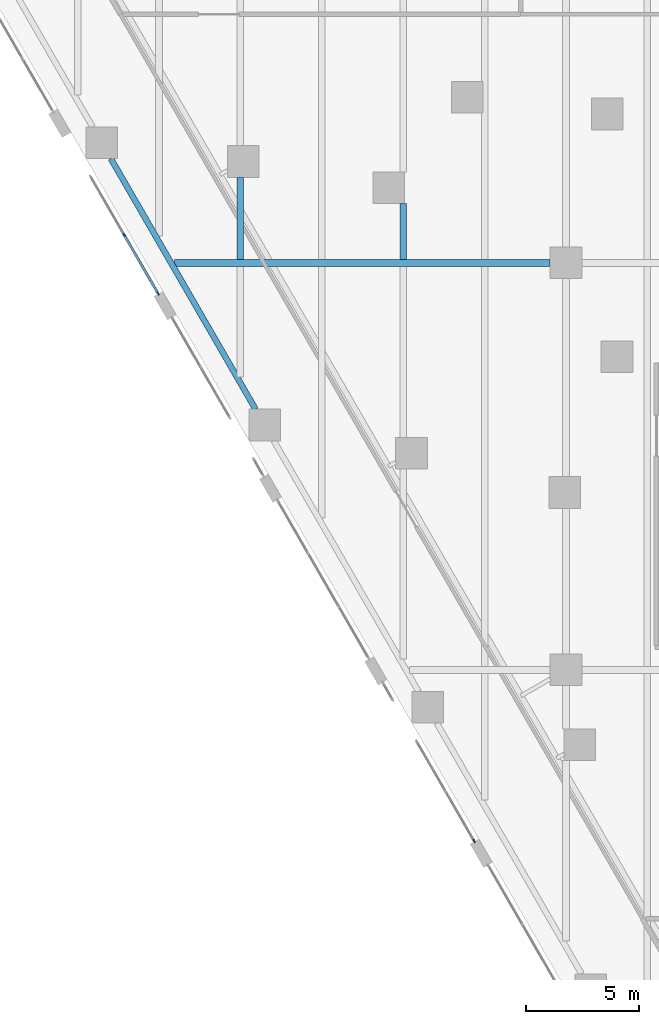
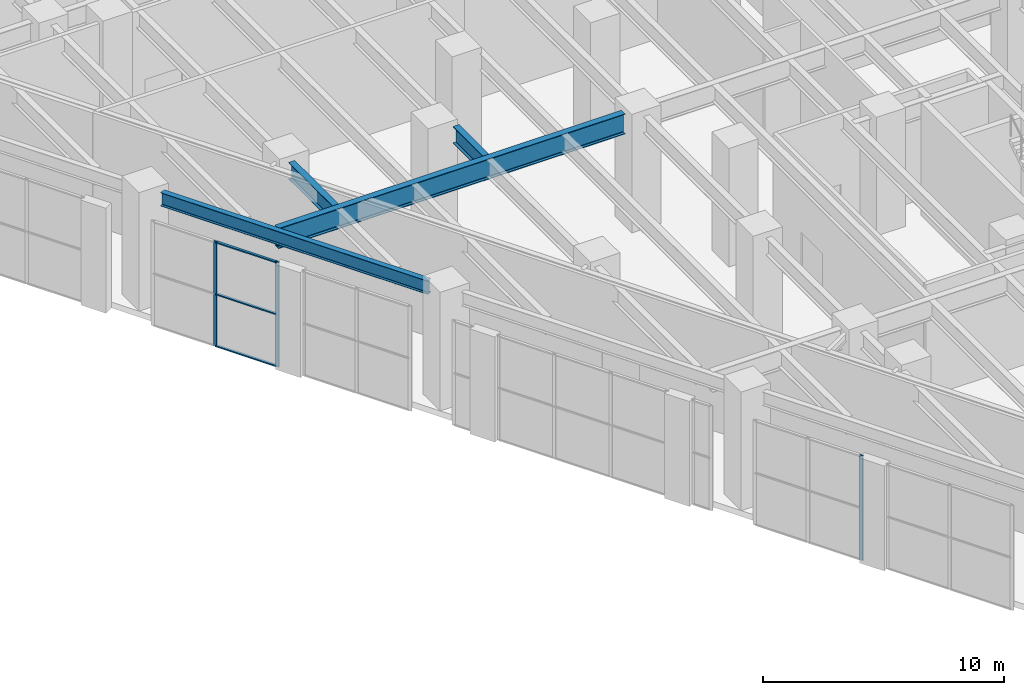
# One storey, part 8 of 37: 6 members, 4 beams, 2 elements without a shape of their own.
"""IFC4 building model written with IfcOpenShell, lengths in metres."""

import ifcopenshell
import ifcopenshell.guid

model = None  # the IFC model being written
_history = None  # IfcOwnerHistory: only IFC2X3 demands one
_inside = {}  # id of a spatial element -> (the spatial element, [elements in it])
_under = {}  # id of a project, library or spatial element -> (it, [spatial elements below it])
_declared = {}  # id of a project -> (the project, [libraries it declares])
_typed = {}  # id of a type object -> (the type object, [elements of that type])
_made_of = {}  # id of a material, layer set ... -> (it, [elements and type objects made of it])


def new_model(schema):
    """Start an empty IFC model of exactly this schema.

    Asked for "IFC4X3", IfcOpenShell would pick the latest addendum, in which some entities
    have other attributes; the version numbers below select the first issue.
    IFC2X3 requires an IfcOwnerHistory on every rooted entity: one is made here for all.
    """
    global model, _history
    if schema == "IFC4X3":
        model = ifcopenshell.file(schema_version=(4, 3, 0, 0))
    else:
        model = ifcopenshell.file(schema=schema)
    _inside.clear()
    _under.clear()
    _declared.clear()
    _typed.clear()
    _made_of.clear()
    _history = None
    if model.schema == "IFC2X3":
        org = make("IfcOrganization", Name="unknown")
        user = make(
            "IfcPersonAndOrganization",
            ThePerson=make("IfcPerson", FamilyName="unknown"),
            TheOrganization=org,
        )
        app = make(
            "IfcApplication",
            ApplicationDeveloper=org,
            Version="unknown",
            ApplicationFullName="unknown",
            ApplicationIdentifier="unknown",
        )
        _history = make(
            "IfcOwnerHistory",
            OwningUser=user,
            OwningApplication=app,
            ChangeAction="ADDED",
            CreationDate=0,
        )
    return model


def make(cls, **values):
    """One entity of the class cls with the attributes given. An attribute that is None is left unset."""
    return model.create_entity(
        cls, **{name: value for name, value in values.items() if value is not None}
    )


def rooted(cls, **values):
    """An entity with a GlobalId (a new one), such as an element, a storey or a relation."""
    return make(cls, GlobalId=ifcopenshell.guid.new(), OwnerHistory=_history, **values)


def si_unit(unit_type, name, prefix=None):
    """IfcSIUnit, for example si_unit("LENGTHUNIT", "METRE", prefix="MILLI")."""
    return make("IfcSIUnit", UnitType=unit_type, Prefix=prefix, Name=name)


def assignment(units):
    """IfcUnitAssignment: the units of a project."""
    return None if units is None else make("IfcUnitAssignment", Units=units)


def point(xyz):
    """IfcCartesianPoint."""
    return None if xyz is None else make("IfcCartesianPoint", Coordinates=xyz)


def direction(xyz):
    """IfcDirection."""
    return None if xyz is None else make("IfcDirection", DirectionRatios=xyz)


def frame(location, z_axis=None, x_axis=None):
    """IfcAxis2Placement3D, a coordinate frame: its origin and axes. An axis left out is left unset."""
    return make(
        "IfcAxis2Placement3D",
        Location=point(location),
        Axis=direction(z_axis),
        RefDirection=direction(x_axis),
    )


def frame_2d(location, x_axis=None):
    """IfcAxis2Placement2D, a coordinate frame in the plane: its origin and x axis."""
    return make(
        "IfcAxis2Placement2D", Location=point(location), RefDirection=direction(x_axis)
    )


def origin():
    """The frame at (0, 0, 0) with its axes left unset."""
    return frame((0.0, 0.0, 0.0))


def origin_2d():
    """The frame at (0, 0) in the plane with its x axis left unset."""
    return frame_2d((0.0, 0.0))


def place(relative_to, where):
    """IfcLocalPlacement: puts the frame where relative to a parent placement (None: the world)."""
    return make(
        "IfcLocalPlacement", PlacementRelTo=relative_to, RelativePlacement=where
    )


def context(
    kind, dimensions, precision=None, world=None, true_north=None, identifier=None
):
    """IfcGeometricRepresentationContext, for example the 3D "Model" context."""
    return make(
        "IfcGeometricRepresentationContext",
        ContextIdentifier=identifier,
        ContextType=kind,
        CoordinateSpaceDimension=dimensions,
        Precision=precision,
        WorldCoordinateSystem=world,
        TrueNorth=true_north,
    )


def subcontext(parent, identifier, kind, view, scale=None):
    """IfcGeometricRepresentationSubContext, for example "Body" below "Model"."""
    return make(
        "IfcGeometricRepresentationSubContext",
        ContextIdentifier=identifier,
        ContextType=kind,
        ParentContext=parent,
        TargetScale=scale,
        TargetView=view,
    )


def project(units=None, contexts=None):
    """IfcProject with its units and contexts."""
    return rooted(
        "IfcProject",
        Name="project",
        RepresentationContexts=contexts,
        UnitsInContext=assignment(units),
    )


def spatial(cls, under=None, at=None, **own):
    """A site, building, storey or space (cls), placed at a placement, below another one or the project."""
    s = rooted(cls, ObjectPlacement=at, **own)
    if under is not None:
        _under.setdefault(under.id(), (under, []))[1].append(s)
    return s


def profile(cls, at=None, kind="AREA", **sizes):
    """A parametric profile (cls). Its sizes go by their IFC names, for example OverallWidth=200.0."""
    return make(cls, ProfileType=kind, Position=at, **sizes)


def rectangle(**sizes):
    """IfcRectangleProfileDef."""
    return profile("IfcRectangleProfileDef", **sizes)


def i_section(**sizes):
    """IfcIShapeProfileDef."""
    return profile("IfcIShapeProfileDef", **sizes)


def extrude(swept, where, along, depth):
    """IfcExtrudedAreaSolid: the profile swept, set in the frame where, extruded along a direction by depth."""
    return make(
        "IfcExtrudedAreaSolid",
        SweptArea=swept,
        Position=where,
        ExtrudedDirection=direction(along),
        Depth=depth,
    )


def shape(context_of_items, identifier, shape_type, items):
    """IfcShapeRepresentation: the items that make up one representation, for example the "Body"."""
    return make(
        "IfcShapeRepresentation",
        ContextOfItems=context_of_items,
        RepresentationIdentifier=identifier,
        RepresentationType=shape_type,
        Items=items,
    )


def material(Name=None, Category=None):
    """IfcMaterial."""
    return make("IfcMaterial", Name=Name, Category=Category)


def material_profile(
    of_material, cross_section, Name=None, Category=None, Priority=None
):
    """IfcMaterialProfile: a cross section and its material."""
    return make(
        "IfcMaterialProfile",
        Name=Name,
        Material=of_material,
        Profile=cross_section,
        Priority=Priority,
        Category=Category,
    )


def profile_set(profiles, Name=None, composite=None):
    """IfcMaterialProfileSet."""
    return make(
        "IfcMaterialProfileSet",
        Name=Name,
        MaterialProfiles=profiles,
        CompositeProfile=composite,
    )


def made_of(thing, what):
    """Note that an element or type object is made of a material, layer set ...; save() writes the relation."""
    if what is not None:
        _made_of.setdefault(what.id(), (what, []))[1].append(thing)
    return thing


def type_object(cls, material=None, **own):
    """A type object (cls), such as IfcWallType, which elements share."""
    return made_of(rooted(cls, **own), material)


def element(
    cls,
    number,
    at=None,
    inside=None,
    cuts=None,
    type_object=None,
    material=None,
    context=None,
    identifier="Body",
    shape_type=None,
    held_by="IfcProductDefinitionShape",
    body=None,
    shapes=None,
    **own,
):
    """One element of the class cls, such as IfcWall. Its Tag is "e" and its number.

    at: its placement. inside: the storey or other place that contains it. cuts: it is an
    opening in that element (IfcRelVoidsElement). A single representation is given by context,
    identifier, shape_type and body (its items); several are given by shapes. held_by: the class
    of the entity that holds the representations. save() writes the other relations.
    """
    e = rooted(cls, Tag="e%d" % number, ObjectPlacement=at, **own)
    if body is not None:
        shapes = [shape(context, identifier, shape_type, body)]
    if shapes is not None:
        e.Representation = make(held_by, Representations=shapes)
    if inside is not None:
        _inside.setdefault(inside.id(), (inside, []))[1].append(e)
    if cuts is not None:
        rooted(
            "IfcRelVoidsElement", RelatingBuildingElement=cuts, RelatedOpeningElement=e
        )
    if type_object is not None:
        _typed.setdefault(type_object.id(), (type_object, []))[1].append(e)
    return made_of(e, material)


def aggregate(whole, parts):
    """IfcRelAggregates: a whole, such as a stair, and the parts it consists of."""
    return rooted("IfcRelAggregates", RelatingObject=whole, RelatedObjects=parts)


def save(model, path):
    """Write the relations noted so far, then the file.

    IfcRelAggregates (storeys below a building ...), IfcRelContainedInSpatialStructure (elements
    in a storey), IfcRelDefinesByType, IfcRelAssociatesMaterial and IfcRelDeclares: one each for
    every whole, place, type object, material and project.
    """
    for whole, parts in _under.values():
        aggregate(whole, parts)
    for where, things in _inside.values():
        rooted(
            "IfcRelContainedInSpatialStructure",
            RelatedElements=things,
            RelatingStructure=where,
        )
    for kind, things in _typed.values():
        rooted("IfcRelDefinesByType", RelatedObjects=things, RelatingType=kind)
    for what, things in _made_of.values():
        rooted("IfcRelAssociatesMaterial", RelatedObjects=things, RelatingMaterial=what)
    for by, libraries in _declared.values():
        rooted("IfcRelDeclares", RelatingContext=by, RelatedDefinitions=libraries)
    model.write(path)


model = new_model("IFC4")

# Units and contexts
model_context = context("Model", 3, precision=1e-05, world=origin(), true_north=direction((0.0, 1.0)))
body_context = subcontext(model_context, "Body", "Model", "MODEL_VIEW")
ifc_project = project(units=[si_unit("LENGTHUNIT", "METRE"), si_unit("AREAUNIT", "SQUARE_METRE"), si_unit("VOLUMEUNIT", "CUBIC_METRE"), si_unit("PLANEANGLEUNIT", "RADIAN"), si_unit("MASSUNIT", "GRAM", prefix="KILO")], contexts=[model_context])

# Site, building, storey
site_placement = place(None, origin())
site = spatial("IfcSite", under=ifc_project, at=site_placement, CompositionType="ELEMENT")
building_placement = place(site_placement, origin())
building = spatial("IfcBuilding", under=site, at=building_placement, Name="Aloe Facet Convention Tower", CompositionType="ELEMENT")
storey_placement = place(building_placement, frame((0.0, 0.0, 7.5)))
storey = spatial("IfcBuildingStorey", under=building, at=storey_placement, Name="L01", CompositionType="ELEMENT", Elevation=7.5)

# Curtain wall, members
ifc_material_1 = material(Name="Aluminium, anodised", Category="aluminium")
curtain_wall_type = type_object("IfcCurtainWallType", Name="EV-CW-SHOP", PredefinedType="USERDEFINED", material=ifc_material_1)
curtain_wall_1_placement = place(storey_placement, origin())
curtain_wall_1 = element("IfcCurtainWall", 1, at=curtain_wall_1_placement, inside=storey, type_object=curtain_wall_type, Name="CW-L01-W08", ObjectType="STICK SHOPFRONT GLAZING", PredefinedType="USERDEFINED")
ifc_material_2 = material(Name="Aluminium, anodised", Category="aluminium")
ifc_material_profile_1 = material_profile(ifc_material_2, rectangle(XDim=0.06005859375, YDim=0.159912109375, at=origin_2d()), Name="AL 60x160")
ifc_profile_set_1 = profile_set([ifc_material_profile_1], Name="Aluminium, anodised")
member_type_1 = type_object("IfcMemberType", Name="EV-MULL-SHOP", PredefinedType="MULLION", material=ifc_profile_set_1)
member_1_placement = place(storey_placement, frame((42.465576171875, 100.232177734375, -0.300048828125), z_axis=(0.0, 0.0, 1.0), x_axis=(0.866025403828, 0.499999999924, 0.0)))
member_1 = element("IfcMember", 2, at=member_1_placement, type_object=member_type_1, Name="CW-L01-W08 mullion 2", PredefinedType="MULLION", context=body_context, shape_type="SweptSolid", body=[
    extrude(rectangle(XDim=0.06005859375, YDim=0.159912109375, at=origin_2d()), origin(), (0.0, 0.0, 1.0), 5.3125),
])
member_2_placement = place(storey_placement, frame((43.955078125, 97.652099609375, -0.300048828125), z_axis=(0.0, 0.0, 1.0), x_axis=(0.866025403828, 0.499999999924, 0.0)))
member_2 = element("IfcMember", 3, at=member_2_placement, type_object=member_type_1, Name="CW-L01-W08 mullion 3", PredefinedType="MULLION", context=body_context, shape_type="SweptSolid", body=[
    extrude(rectangle(XDim=0.06005859375, YDim=0.159912109375, at=origin_2d()), origin(), (0.0, 0.0, 1.0), 5.3125),
])

# Curtain wall, member
curtain_wall_2_placement = place(storey_placement, origin())
curtain_wall_2 = element("IfcCurtainWall", 4, at=curtain_wall_2_placement, inside=storey, type_object=curtain_wall_type, Name="CW-L01-W14-2", ObjectType="STICK SHOPFRONT GLAZING", PredefinedType="USERDEFINED")
member_3_placement = place(storey_placement, frame((57.93701171875, 73.4345703125, -0.300048828125), z_axis=(0.0, 0.0, 1.0), x_axis=(0.866025403767, 0.50000000003, 0.0)))
member_3 = element("IfcMember", 5, at=member_3_placement, type_object=member_type_1, Name="CW-L01-W14-2 mullion 3", PredefinedType="MULLION", context=body_context, shape_type="SweptSolid", body=[
    extrude(rectangle(XDim=0.06005859375, YDim=0.159912109375, at=origin_2d()), origin(), (0.0, 0.0, 1.0), 5.3125),
])
aggregate(curtain_wall_2, [member_3])

# Member
ifc_material_3 = material(Name="Aluminium, anodised", Category="aluminium")
ifc_material_profile_2 = material_profile(ifc_material_3, rectangle(XDim=0.1201171875, YDim=0.06005859375, at=origin_2d()), Name="AL 120x60")
ifc_profile_set_2 = profile_set([ifc_material_profile_2], Name="Aluminium, anodised")
member_type_2 = type_object("IfcMemberType", Name="EV-TRAN-SHOP", PredefinedType="USERDEFINED", material=ifc_profile_set_2)
member_4_placement = place(storey_placement, frame((42.48046875, 100.206298828125, -0.27001953125), z_axis=(0.500033742649, -0.86600592158, 0.0), x_axis=(0.86600592158, 0.500033742649, 0.0)))
member_4 = element("IfcMember", 6, at=member_4_placement, type_object=member_type_2, Name="CW-L01-W08 transom 2.1", ObjectType="TRANSOM", PredefinedType="USERDEFINED", context=body_context, shape_type="SweptSolid", body=[
    extrude(rectangle(XDim=0.1201171875, YDim=0.06005859375, at=origin_2d()), origin(), (0.0, 0.0, 1.0), 2.919189453125),
])

member_5_placement = place(storey_placement, frame((42.48046875, 100.206298828125, 2.356201171875), z_axis=(0.500033742649, -0.86600592158, 0.0), x_axis=(0.86600592158, 0.500033742649, 0.0)))
member_5 = element("IfcMember", 7, at=member_5_placement, type_object=member_type_2, Name="CW-L01-W08 transom 2.2", ObjectType="TRANSOM", PredefinedType="USERDEFINED", context=body_context, shape_type="SweptSolid", body=[
    extrude(rectangle(XDim=0.1201171875, YDim=0.06005859375, at=origin_2d()), origin(), (0.0, 0.0, 1.0), 2.919189453125),
])

member_6_placement = place(storey_placement, frame((42.48046875, 100.206298828125, 4.982421875), z_axis=(0.500033742649, -0.86600592158, 0.0), x_axis=(0.86600592158, 0.500033742649, 0.0)))
member_6 = element("IfcMember", 8, at=member_6_placement, type_object=member_type_2, Name="CW-L01-W08 transom 2.3", ObjectType="TRANSOM", PredefinedType="USERDEFINED", context=body_context, shape_type="SweptSolid", body=[
    extrude(rectangle(XDim=0.1201171875, YDim=0.06005859375, at=origin_2d()), origin(), (0.0, 0.0, 1.0), 2.919189453125),
])

aggregate(curtain_wall_1, [member_1, member_2, member_4, member_5, member_6])

# Beams
ifc_material_4 = material(Name="Steel S355", Category="steel")
ifc_material_profile_3 = material_profile(ifc_material_4, i_section(OverallWidth=0.305419921875, OverallDepth=1.02587890625, WebThickness=0.02001953125, FlangeThickness=0.031005859375, FilletRadius=0.030029296875, at=origin_2d()), Name="UB 1016x305x349")
ifc_profile_set_3 = profile_set([ifc_material_profile_3], Name="Steel S355")
beam_type_1 = type_object("IfcBeamType", Name="SF-B-UB1016x305x349", PredefinedType="BEAM", material=ifc_profile_set_3)
beam_1_placement = place(storey_placement, frame((44.690673828125, 99.0, 5.18701171875), z_axis=(1.0, 0.0, 0.0), x_axis=(0.0, 1.0, 0.0)))
element("IfcBeam", 9, at=beam_1_placement, inside=storey, type_object=beam_type_1, Name="Floor beam FB-L02-032", PredefinedType="BEAM", context=body_context, shape_type="SweptSolid", body=[
    extrude(i_section(OverallWidth=0.305419921875, OverallDepth=1.02587890625, WebThickness=0.02001953125, FlangeThickness=0.031005859375, FilletRadius=0.030029296875, at=origin_2d()), origin(), (0.0, 0.0, 1.0), 16.609375),
])
ifc_material_5 = material(Name="Steel S355", Category="steel")
ifc_material_profile_4 = material_profile(ifc_material_5, i_section(OverallWidth=0.25439453125, OverallDepth=0.6875, WebThickness=0.01318359375, FlangeThickness=0.02099609375, FilletRadius=0.01513671875, at=origin_2d()), Name="UB 686x254x152")
ifc_profile_set_4 = profile_set([ifc_material_profile_4], Name="Steel S355")
beam_type_2 = type_object("IfcBeamType", Name="SF-B-UB686x254x152", PredefinedType="BEAM", material=ifc_profile_set_4)
beam_2_placement = place(storey_placement, frame((48.270263671875, 92.528076171875, 5.356201171875), z_axis=(-0.499999833739, 0.866025499775, 0.0), x_axis=(-0.866025499775, -0.499999833739, 0.0)))
element("IfcBeam", 10, at=beam_2_placement, inside=storey, type_object=beam_type_2, Name="Floor beam FB-L02-009", PredefinedType="BEAM", context=body_context, shape_type="SweptSolid", body=[
    extrude(i_section(OverallWidth=0.25439453125, OverallDepth=0.6875, WebThickness=0.01318359375, FlangeThickness=0.02099609375, FilletRadius=0.01513671875, at=origin_2d()), origin(), (0.0, 0.0, 1.0), 12.7998046875),
])
ifc_material_6 = material(Name="Steel S355", Category="steel")
ifc_material_profile_5 = material_profile(ifc_material_6, i_section(OverallWidth=0.293701171875, OverallDepth=0.850830078125, WebThickness=0.01611328125, FlangeThickness=0.02685546875, FilletRadius=0.017822265625, at=origin_2d()), Name="UB 838x292x226")
ifc_profile_set_5 = profile_set([ifc_material_profile_5], Name="Steel S355")
beam_type_3 = type_object("IfcBeamType", Name="SF-B-UB838x292x226", PredefinedType="BEAM", material=ifc_profile_set_5)
beam_3_placement = place(storey_placement, frame((47.60009765625, 99.152587890625, 5.2744140625), z_axis=(0.0, 1.0, 0.0), x_axis=(-1.0, 0.0, 0.0)))
element("IfcBeam", 11, at=beam_3_placement, inside=storey, type_object=beam_type_3, Name="Floor beam FB-L02-061", PredefinedType="BEAM", context=body_context, shape_type="SweptSolid", body=[
    extrude(i_section(OverallWidth=0.293701171875, OverallDepth=0.850830078125, WebThickness=0.01611328125, FlangeThickness=0.02685546875, FilletRadius=0.017822265625, at=origin_2d()), origin(), (0.0, 0.0, 1.0), 3.63232421875),
])
beam_4_placement = place(storey_placement, frame((54.800048828125, 99.152587890625, 5.2744140625), z_axis=(0.0, 1.0, 0.0), x_axis=(-1.0, 0.0, 0.0)))
element("IfcBeam", 12, at=beam_4_placement, inside=storey, type_object=beam_type_3, Name="Floor beam FB-L02-069", PredefinedType="BEAM", context=body_context, shape_type="SweptSolid", body=[
    extrude(i_section(OverallWidth=0.293701171875, OverallDepth=0.850830078125, WebThickness=0.01611328125, FlangeThickness=0.02685546875, FilletRadius=0.017822265625, at=origin_2d()), origin(), (0.0, 0.0, 1.0), 2.472412109375),
])

save(model, "model.ifc")
